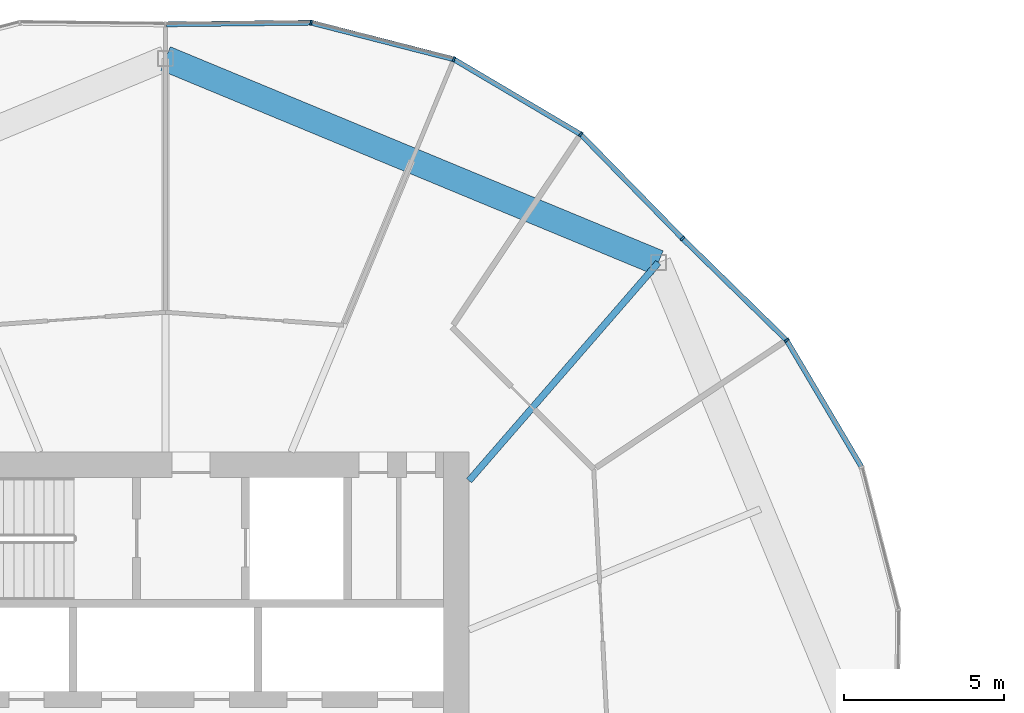
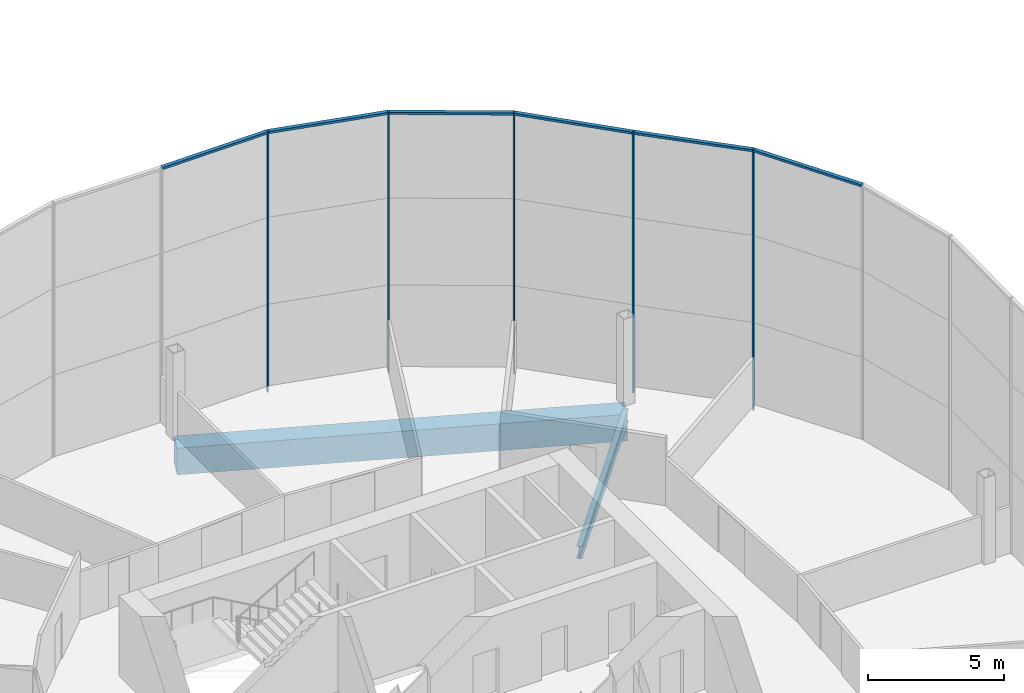
# One storey, part 9 of 25: 11 members, 2 beams, 2 elements without a shape of their own.
"""IFC4 building model written with IfcOpenShell, lengths in metres."""

from ifc_helpers import new_model, si_unit, direction, frame, origin, origin_2d, place, context, subcontext, project, spatial, rectangle, hollow_rectangle, i_section, extrude, material, material_profile, profile_set, type_object, element, aggregate, save


model = new_model("IFC4")

# Units and contexts
model_context = context("Model", 3, precision=1e-05, world=origin(), true_north=direction((0.0, 1.0)))
body_context = subcontext(model_context, "Body", "Model", "MODEL_VIEW")
ifc_project = project(units=[si_unit("LENGTHUNIT", "METRE"), si_unit("AREAUNIT", "SQUARE_METRE"), si_unit("VOLUMEUNIT", "CUBIC_METRE"), si_unit("PLANEANGLEUNIT", "RADIAN"), si_unit("MASSUNIT", "GRAM", prefix="KILO")], contexts=[model_context])

# Site, building, storey
site_placement = place(None, origin())
site = spatial("IfcSite", under=ifc_project, at=site_placement, CompositionType="ELEMENT")
building_placement = place(site_placement, origin())
building = spatial("IfcBuilding", under=site, at=building_placement, Name="Ogive Gate Towers", CompositionType="ELEMENT")
storey_placement = place(building_placement, frame((0.0, 0.0, 44.10009765625)))
storey = spatial("IfcBuildingStorey", under=building, at=storey_placement, Name="L09", CompositionType="ELEMENT", Elevation=44.10009765625)

# Beams
ifc_material_1 = material(Name="Steel SM460", Category="steel")
ifc_material_profile_1 = material_profile(ifc_material_1, hollow_rectangle(XDim=0.800048828125, YDim=1.199951171875, WallThickness=0.050048828125, at=origin_2d()), Name="BX 1200x800x50")
ifc_profile_set_1 = profile_set([ifc_material_profile_1], Name="Steel SM460")
beam_type_1 = type_object("IfcBeamType", Name="Edge girder BX 1200x800x50", PredefinedType="BEAM", material=ifc_profile_set_1)
beam_1_placement = place(storey_placement, frame((-20.577880859375, 15.422119140625, -0.900146484375), z_axis=(-0.923881893128, 0.382677733282, 0.0), x_axis=(-0.382677733282, -0.923881893128, 0.0)))
element("IfcBeam", 1, at=beam_1_placement, inside=storey, type_object=beam_type_1, Name="T1/L09/SBM021", PredefinedType="BEAM", context=body_context, shape_type="SweptSolid", body=[
    extrude(hollow_rectangle(XDim=0.800048828125, YDim=1.199951171875, WallThickness=0.050048828125, at=origin_2d()), origin(), (0.0, 0.0, 1.0), 16.692626953125),
])
ifc_material_2 = material(Name="Steel SM355", Category="steel")
ifc_material_profile_2 = material_profile(ifc_material_2, i_section(OverallWidth=0.2099609375, OverallDepth=0.550048828125, WebThickness=0.010986328125, FlangeThickness=0.01708984375, FilletRadius=0.02392578125, at=origin_2d()), Name="IPE 550")
ifc_profile_set_2 = profile_set([ifc_material_profile_2], Name="Steel SM355")
beam_type_2 = type_object("IfcBeamType", Name="Radial floor beam IPE 550", PredefinedType="BEAM", material=ifc_profile_set_2)
beam_2_placement = place(storey_placement, frame((-26.5, 8.60009765625, -0.5751953125), z_axis=(0.655543527875, 0.755157389596, 0.0), x_axis=(-0.755157389596, 0.655543527875, 0.0)))
element("IfcBeam", 2, at=beam_2_placement, inside=storey, type_object=beam_type_2, Name="T1/L09/SBM009", PredefinedType="BEAM", context=body_context, shape_type="SweptSolid", body=[
    extrude(i_section(OverallWidth=0.2099609375, OverallDepth=0.550048828125, WebThickness=0.010986328125, FlangeThickness=0.01708984375, FilletRadius=0.02392578125, at=origin_2d()), origin(), (0.0, 0.0, 1.0), 9.033935546875),
])

# Curtain wall, members
ifc_material_3 = material(Name="Pale metal aluminium", Category="aluminium")
curtain_wall_type = type_object("IfcCurtainWallType", Name="Tower unitised wall, low zone", PredefinedType="NOTDEFINED", material=ifc_material_3)
curtain_wall_1_placement = place(storey_placement, origin())
curtain_wall_1 = element("IfcCurtainWall", 3, at=curtain_wall_1_placement, inside=storey, type_object=curtain_wall_type, Name="CW1 T1 ECW01", PredefinedType="NOTDEFINED")
ifc_material_profile_3 = material_profile(ifc_material_3, rectangle(XDim=0.159912109375, YDim=0.06005859375, at=origin_2d()), Name="60 x 160 aluminium box")
ifc_profile_set_3 = profile_set([ifc_material_profile_3], Name="Pale metal aluminium")
member_type_1 = type_object("IfcMemberType", Name="Tower unitised wall, low zone mullion 60 x 160", PredefinedType="MULLION", material=ifc_profile_set_3)
member_1_placement = place(storey_placement, frame((-16.56298828125, 12.99462890625, -0.300048828125), z_axis=(0.0, 0.0, 1.0), x_axis=(0.786557949393, 0.617516471235, 0.0)))
member_1 = element("IfcMember", 4, at=member_1_placement, type_object=member_type_1, Name="CW1 mullion", PredefinedType="MULLION", context=body_context, shape_type="SweptSolid", body=[
    extrude(rectangle(XDim=0.159912109375, YDim=0.06005859375, at=origin_2d()), origin(), (0.0, 0.0, 1.0), 11.699951171875),
])
member_2_placement = place(storey_placement, frame((-19.8212890625, 16.178466796875, -0.300048828125), z_axis=(0.0, 0.0, 1.0), x_axis=(0.698914762976, 0.715204973482, 0.0)))
member_2 = element("IfcMember", 5, at=member_2_placement, type_object=member_type_1, Name="CW1 mullion", PredefinedType="MULLION", context=body_context, shape_type="SweptSolid", body=[
    extrude(rectangle(XDim=0.159912109375, YDim=0.06005859375, at=origin_2d()), origin(), (0.0, 0.0, 1.0), 11.699951171875),
])

curtain_wall_2_placement = place(storey_placement, origin())
curtain_wall_2 = element("IfcCurtainWall", 6, at=curtain_wall_2_placement, inside=storey, type_object=curtain_wall_type, Name="CW1 T1 ECW02", PredefinedType="NOTDEFINED")
member_3_placement = place(storey_placement, frame((-23.00537109375, 19.43701171875, -0.300048828125), z_axis=(0.0, 0.0, 1.0), x_axis=(0.617516471235, 0.786557949393, 0.0)))
member_3 = element("IfcMember", 7, at=member_3_placement, type_object=member_type_1, Name="CW1 mullion", PredefinedType="MULLION", context=body_context, shape_type="SweptSolid", body=[
    extrude(rectangle(XDim=0.159912109375, YDim=0.06005859375, at=origin_2d()), origin(), (0.0, 0.0, 1.0), 11.699951171875),
])
member_4_placement = place(storey_placement, frame((-26.97607421875, 21.785888671875, -0.300048828125), z_axis=(0.0, 0.0, 1.0), x_axis=(0.382683432365, 0.923879532511, 0.0)))
member_4 = element("IfcMember", 8, at=member_4_placement, type_object=member_type_1, Name="CW1 mullion", PredefinedType="MULLION", context=body_context, shape_type="SweptSolid", body=[
    extrude(rectangle(XDim=0.159912109375, YDim=0.06005859375, at=origin_2d()), origin(), (0.0, 0.0, 1.0), 11.699951171875),
])
member_5_placement = place(storey_placement, frame((-31.444580078125, 22.9326171875, -0.300048828125), z_axis=(0.0, 0.0, 1.0), x_axis=(0.119547703651, 0.992828457767, 0.0)))
member_5 = element("IfcMember", 9, at=member_5_placement, type_object=member_type_1, Name="CW1 mullion", PredefinedType="MULLION", context=body_context, shape_type="SweptSolid", body=[
    extrude(rectangle(XDim=0.159912109375, YDim=0.06005859375, at=origin_2d()), origin(), (0.0, 0.0, 1.0), 11.699951171875),
])

# Member
ifc_material_profile_4 = material_profile(ifc_material_3, rectangle(XDim=0.159912109375, YDim=0.10009765625, at=origin_2d()), Name="100 x 160 aluminium box")
ifc_profile_set_4 = profile_set([ifc_material_profile_4], Name="Pale metal aluminium")
member_type_2 = type_object("IfcMemberType", Name="Tower unitised wall, low zone transom 100 x 160", PredefinedType="USERDEFINED", material=ifc_profile_set_4)
member_6_placement = place(storey_placement, frame((-14.22802734375, 9.04736328125, 11.349853515625), z_axis=(-0.509162247651, 0.860670555769, 0.0), x_axis=(-0.860670555769, -0.509162247651, 0.0)))
member_6 = element("IfcMember", 10, at=member_6_placement, type_object=member_type_2, Name="CW1 transom", ObjectType="TRANSOM", PredefinedType="USERDEFINED", context=body_context, shape_type="SweptSolid", body=[
    extrude(rectangle(XDim=0.159912109375, YDim=0.10009765625, at=origin_2d()), origin(), (0.0, 0.0, 1.0), 4.55908203125),
])

member_7_placement = place(storey_placement, frame((-16.582763671875, 13.013916015625, 11.349853515625), z_axis=(-0.715228515951, 0.698890670971, 0.0), x_axis=(-0.698890670971, -0.715228515951, 0.0)))
member_7 = element("IfcMember", 11, at=member_7_placement, type_object=member_type_2, Name="CW1 transom", ObjectType="TRANSOM", PredefinedType="USERDEFINED", context=body_context, shape_type="SweptSolid", body=[
    extrude(rectangle(XDim=0.159912109375, YDim=0.10009765625, at=origin_2d()), origin(), (0.0, 0.0, 1.0), 4.497802734375),
])

aggregate(curtain_wall_1, [member_1, member_6, member_2, member_7])

member_8_placement = place(storey_placement, frame((-19.842529296875, 16.2001953125, 11.349853515625), z_axis=(-0.698890670971, 0.715228515951, 0.0), x_axis=(-0.715228515951, -0.698890670971, 0.0)))
member_8 = element("IfcMember", 12, at=member_8_placement, type_object=member_type_2, Name="CW1 transom", ObjectType="TRANSOM", PredefinedType="USERDEFINED", context=body_context, shape_type="SweptSolid", body=[
    extrude(rectangle(XDim=0.159912109375, YDim=0.10009765625, at=origin_2d()), origin(), (0.0, 0.0, 1.0), 4.497802734375),
])

member_9_placement = place(storey_placement, frame((-23.02880859375, 19.45068359375, 11.349853515625), z_axis=(-0.860670555769, 0.509162247651, 0.0), x_axis=(-0.509162247651, -0.860670555769, 0.0)))
member_9 = element("IfcMember", 13, at=member_9_placement, type_object=member_type_2, Name="CW1 transom", ObjectType="TRANSOM", PredefinedType="USERDEFINED", context=body_context, shape_type="SweptSolid", body=[
    extrude(rectangle(XDim=0.159912109375, YDim=0.10009765625, at=origin_2d()), origin(), (0.0, 0.0, 1.0), 4.55908203125),
])

member_10_placement = place(storey_placement, frame((-27.002197265625, 21.79248046875, 11.349853515625), z_axis=(-0.968624541573, 0.248528665272, 0.0), x_axis=(-0.248528665272, -0.968624541573, 0.0)))
member_10 = element("IfcMember", 14, at=member_10_placement, type_object=member_type_2, Name="CW1 transom", ObjectType="TRANSOM", PredefinedType="USERDEFINED", context=body_context, shape_type="SweptSolid", body=[
    extrude(rectangle(XDim=0.159912109375, YDim=0.10009765625, at=origin_2d()), origin(), (0.0, 0.0, 1.0), 4.55908203125),
])

member_11_placement = place(storey_placement, frame((-31.47216796875, 22.93212890625, 11.349853515625), z_axis=(-0.999933789779, -0.011507217644, 0.0), x_axis=(0.011507217644, -0.999933789779, 0.0)))
member_11 = element("IfcMember", 15, at=member_11_placement, type_object=member_type_2, Name="CW1 transom", ObjectType="TRANSOM", PredefinedType="USERDEFINED", context=body_context, shape_type="SweptSolid", body=[
    extrude(rectangle(XDim=0.159912109375, YDim=0.10009765625, at=origin_2d()), origin(), (0.0, 0.0, 1.0), 4.497802734375),
])

aggregate(curtain_wall_2, [member_3, member_8, member_4, member_9, member_5, member_10, member_11])

save(model, "model.ifc")
